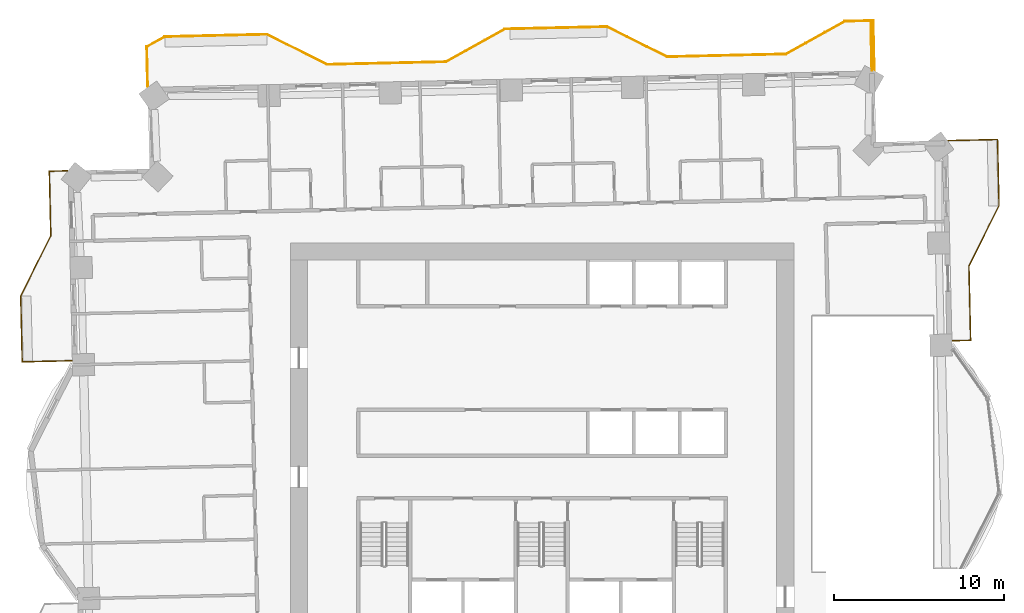
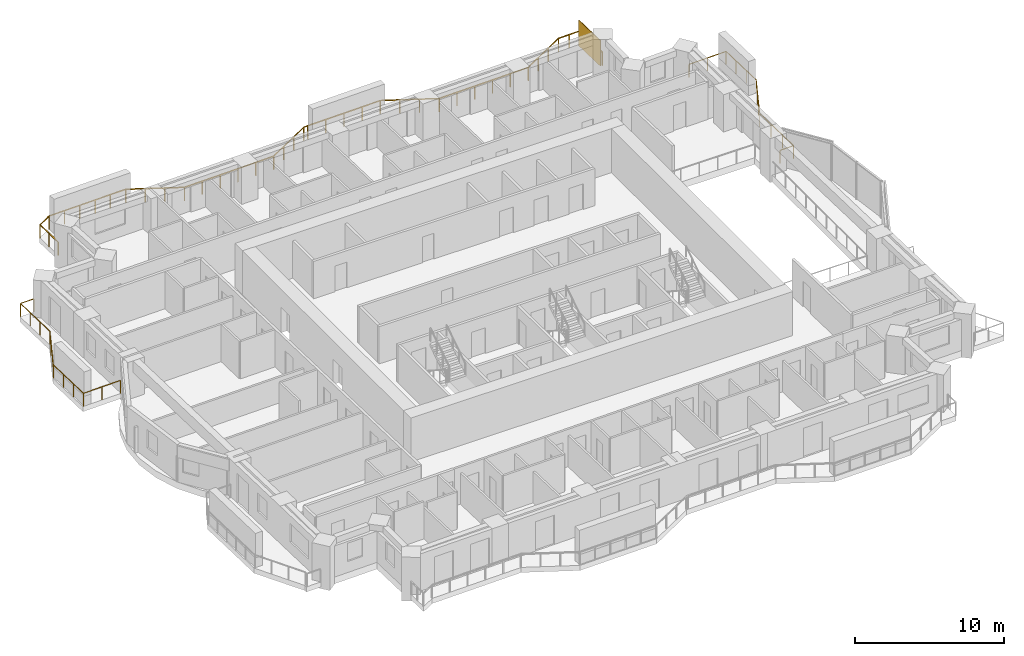
# One storey, part 16 of 16: 3 railings, 1 shading device.
"""IFC4 building model written with IfcOpenShell, lengths in metres."""

import ifcopenshell
import ifcopenshell.guid

model = None  # the IFC model being written
_history = None  # IfcOwnerHistory: only IFC2X3 demands one
_inside = {}  # id of a spatial element -> (the spatial element, [elements in it])
_under = {}  # id of a project, library or spatial element -> (it, [spatial elements below it])
_declared = {}  # id of a project -> (the project, [libraries it declares])
_typed = {}  # id of a type object -> (the type object, [elements of that type])
_made_of = {}  # id of a material, layer set ... -> (it, [elements and type objects made of it])


def new_model(schema):
    """Start an empty IFC model of exactly this schema.

    Asked for "IFC4X3", IfcOpenShell would pick the latest addendum, in which some entities
    have other attributes; the version numbers below select the first issue.
    IFC2X3 requires an IfcOwnerHistory on every rooted entity: one is made here for all.
    """
    global model, _history
    if schema == "IFC4X3":
        model = ifcopenshell.file(schema_version=(4, 3, 0, 0))
    else:
        model = ifcopenshell.file(schema=schema)
    _inside.clear()
    _under.clear()
    _declared.clear()
    _typed.clear()
    _made_of.clear()
    _history = None
    if model.schema == "IFC2X3":
        org = make("IfcOrganization", Name="unknown")
        user = make(
            "IfcPersonAndOrganization",
            ThePerson=make("IfcPerson", FamilyName="unknown"),
            TheOrganization=org,
        )
        app = make(
            "IfcApplication",
            ApplicationDeveloper=org,
            Version="unknown",
            ApplicationFullName="unknown",
            ApplicationIdentifier="unknown",
        )
        _history = make(
            "IfcOwnerHistory",
            OwningUser=user,
            OwningApplication=app,
            ChangeAction="ADDED",
            CreationDate=0,
        )
    return model


def make(cls, **values):
    """One entity of the class cls with the attributes given. An attribute that is None is left unset."""
    return model.create_entity(
        cls, **{name: value for name, value in values.items() if value is not None}
    )


def rooted(cls, **values):
    """An entity with a GlobalId (a new one), such as an element, a storey or a relation."""
    return make(cls, GlobalId=ifcopenshell.guid.new(), OwnerHistory=_history, **values)


def si_unit(unit_type, name, prefix=None):
    """IfcSIUnit, for example si_unit("LENGTHUNIT", "METRE", prefix="MILLI")."""
    return make("IfcSIUnit", UnitType=unit_type, Prefix=prefix, Name=name)


def assignment(units):
    """IfcUnitAssignment: the units of a project."""
    return None if units is None else make("IfcUnitAssignment", Units=units)


def point(xyz):
    """IfcCartesianPoint."""
    return None if xyz is None else make("IfcCartesianPoint", Coordinates=xyz)


def direction(xyz):
    """IfcDirection."""
    return None if xyz is None else make("IfcDirection", DirectionRatios=xyz)


def frame(location, z_axis=None, x_axis=None):
    """IfcAxis2Placement3D, a coordinate frame: its origin and axes. An axis left out is left unset."""
    return make(
        "IfcAxis2Placement3D",
        Location=point(location),
        Axis=direction(z_axis),
        RefDirection=direction(x_axis),
    )


def frame_2d(location, x_axis=None):
    """IfcAxis2Placement2D, a coordinate frame in the plane: its origin and x axis."""
    return make(
        "IfcAxis2Placement2D", Location=point(location), RefDirection=direction(x_axis)
    )


def origin():
    """The frame at (0, 0, 0) with its axes left unset."""
    return frame((0.0, 0.0, 0.0))


def origin_2d():
    """The frame at (0, 0) in the plane with its x axis left unset."""
    return frame_2d((0.0, 0.0))


def place(relative_to, where):
    """IfcLocalPlacement: puts the frame where relative to a parent placement (None: the world)."""
    return make(
        "IfcLocalPlacement", PlacementRelTo=relative_to, RelativePlacement=where
    )


def context(
    kind, dimensions, precision=None, world=None, true_north=None, identifier=None
):
    """IfcGeometricRepresentationContext, for example the 3D "Model" context."""
    return make(
        "IfcGeometricRepresentationContext",
        ContextIdentifier=identifier,
        ContextType=kind,
        CoordinateSpaceDimension=dimensions,
        Precision=precision,
        WorldCoordinateSystem=world,
        TrueNorth=true_north,
    )


def subcontext(parent, identifier, kind, view, scale=None):
    """IfcGeometricRepresentationSubContext, for example "Body" below "Model"."""
    return make(
        "IfcGeometricRepresentationSubContext",
        ContextIdentifier=identifier,
        ContextType=kind,
        ParentContext=parent,
        TargetScale=scale,
        TargetView=view,
    )


def project(units=None, contexts=None):
    """IfcProject with its units and contexts."""
    return rooted(
        "IfcProject",
        Name="project",
        RepresentationContexts=contexts,
        UnitsInContext=assignment(units),
    )


def spatial(cls, under=None, at=None, **own):
    """A site, building, storey or space (cls), placed at a placement, below another one or the project."""
    s = rooted(cls, ObjectPlacement=at, **own)
    if under is not None:
        _under.setdefault(under.id(), (under, []))[1].append(s)
    return s


def profile(cls, at=None, kind="AREA", **sizes):
    """A parametric profile (cls). Its sizes go by their IFC names, for example OverallWidth=200.0."""
    return make(cls, ProfileType=kind, Position=at, **sizes)


def rectangle(**sizes):
    """IfcRectangleProfileDef."""
    return profile("IfcRectangleProfileDef", **sizes)


def extrude(swept, where, along, depth):
    """IfcExtrudedAreaSolid: the profile swept, set in the frame where, extruded along a direction by depth."""
    return make(
        "IfcExtrudedAreaSolid",
        SweptArea=swept,
        Position=where,
        ExtrudedDirection=direction(along),
        Depth=depth,
    )


def shape(context_of_items, identifier, shape_type, items):
    """IfcShapeRepresentation: the items that make up one representation, for example the "Body"."""
    return make(
        "IfcShapeRepresentation",
        ContextOfItems=context_of_items,
        RepresentationIdentifier=identifier,
        RepresentationType=shape_type,
        Items=items,
    )


def material(Name=None, Category=None):
    """IfcMaterial."""
    return make("IfcMaterial", Name=Name, Category=Category)


def made_of(thing, what):
    """Note that an element or type object is made of a material, layer set ...; save() writes the relation."""
    if what is not None:
        _made_of.setdefault(what.id(), (what, []))[1].append(thing)
    return thing


def type_object(cls, material=None, **own):
    """A type object (cls), such as IfcWallType, which elements share."""
    return made_of(rooted(cls, **own), material)


def element(
    cls,
    number,
    at=None,
    inside=None,
    cuts=None,
    type_object=None,
    material=None,
    context=None,
    identifier="Body",
    shape_type=None,
    held_by="IfcProductDefinitionShape",
    body=None,
    shapes=None,
    **own,
):
    """One element of the class cls, such as IfcWall. Its Tag is "e" and its number.

    at: its placement. inside: the storey or other place that contains it. cuts: it is an
    opening in that element (IfcRelVoidsElement). A single representation is given by context,
    identifier, shape_type and body (its items); several are given by shapes. held_by: the class
    of the entity that holds the representations. save() writes the other relations.
    """
    e = rooted(cls, Tag="e%d" % number, ObjectPlacement=at, **own)
    if body is not None:
        shapes = [shape(context, identifier, shape_type, body)]
    if shapes is not None:
        e.Representation = make(held_by, Representations=shapes)
    if inside is not None:
        _inside.setdefault(inside.id(), (inside, []))[1].append(e)
    if cuts is not None:
        rooted(
            "IfcRelVoidsElement", RelatingBuildingElement=cuts, RelatedOpeningElement=e
        )
    if type_object is not None:
        _typed.setdefault(type_object.id(), (type_object, []))[1].append(e)
    return made_of(e, material)


def aggregate(whole, parts):
    """IfcRelAggregates: a whole, such as a stair, and the parts it consists of."""
    return rooted("IfcRelAggregates", RelatingObject=whole, RelatedObjects=parts)


def save(model, path):
    """Write the relations noted so far, then the file.

    IfcRelAggregates (storeys below a building ...), IfcRelContainedInSpatialStructure (elements
    in a storey), IfcRelDefinesByType, IfcRelAssociatesMaterial and IfcRelDeclares: one each for
    every whole, place, type object, material and project.
    """
    for whole, parts in _under.values():
        aggregate(whole, parts)
    for where, things in _inside.values():
        rooted(
            "IfcRelContainedInSpatialStructure",
            RelatedElements=things,
            RelatingStructure=where,
        )
    for kind, things in _typed.values():
        rooted("IfcRelDefinesByType", RelatedObjects=things, RelatingType=kind)
    for what, things in _made_of.values():
        rooted("IfcRelAssociatesMaterial", RelatedObjects=things, RelatingMaterial=what)
    for by, libraries in _declared.values():
        rooted("IfcRelDeclares", RelatingContext=by, RelatedDefinitions=libraries)
    model.write(path)


model = new_model("IFC4")

# Units and contexts
model_context = context("Model", 3, precision=1e-05, world=origin(), true_north=direction((0.0, 1.0)))
body_context = subcontext(model_context, "Body", "Model", "MODEL_VIEW")
ifc_project = project(units=[si_unit("LENGTHUNIT", "METRE"), si_unit("AREAUNIT", "SQUARE_METRE"), si_unit("VOLUMEUNIT", "CUBIC_METRE"), si_unit("PLANEANGLEUNIT", "RADIAN"), si_unit("MASSUNIT", "GRAM", prefix="KILO")], contexts=[model_context])

# Site, building, storey
site_placement = place(None, origin())
site = spatial("IfcSite", under=ifc_project, at=site_placement, CompositionType="ELEMENT")
building_placement = place(site_placement, origin())
building = spatial("IfcBuilding", under=site, at=building_placement, Name="Mangrove Gate Tower", CompositionType="ELEMENT")
storey_placement = place(building_placement, frame((0.0, 0.0, 137.300048828125)))
storey = spatial("IfcBuildingStorey", under=building, at=storey_placement, Name="L34", CompositionType="ELEMENT", Elevation=137.300048828125)

# Railings
ifc_material_1 = material(Name="Stainless steel grade 316 with laminated glass infill", Category="steel")
railing_type = type_object("IfcRailingType", Name="Balcony guard 1100", PredefinedType="GUARDRAIL", material=ifc_material_1)
railing_1_placement = place(storey_placement, frame((24.14404296875, 6.06103515625, 0.0)))
element("IfcRailing", 1, at=railing_1_placement, inside=storey, type_object=railing_type, Name="GUARD L34 E2", PredefinedType="GUARDRAIL", context=body_context, shape_type="SweptSolid", body=[
    extrude(rectangle(XDim=0.048095703125, YDim=0.048095703125, at=origin_2d()), frame((0.0, 0.0, 1.076171875), z_axis=(0.999744802133, 0.022590498181, 0.0), x_axis=(-0.022590498181, 0.999744802133, 0.0)), (0.0, 0.0, 1.0), 1.05908203125),
    extrude(rectangle(XDim=0.048095703125, YDim=0.048095703125, at=origin_2d()), frame((1.058837890625, 0.02392578125, 1.076171875), z_axis=(-0.022599718713, 0.999744593741, 0.0), x_axis=(-0.999744593741, -0.022599718713, 0.0)), (0.0, 0.0, 1.0), 4.375244140625),
    extrude(rectangle(XDim=0.048095703125, YDim=0.048095703125, at=origin_2d()), frame((0.9599609375, 4.39794921875, 1.076171875), z_axis=(0.447114919141, 0.894476522376, 0.0), x_axis=(-0.894476522376, 0.447114919141, 0.0)), (0.0, 0.0, 1.0), 3.958740234375),
    extrude(rectangle(XDim=0.048095703125, YDim=0.048095703125, at=origin_2d()), frame((2.72998046875, 7.93896484375, 1.076171875), z_axis=(-0.022599111039, 0.999744607477, 0.0), x_axis=(-0.999744607477, -0.022599111039, 0.0)), (0.0, 0.0, 1.0), 3.89990234375),
    extrude(rectangle(XDim=0.048095703125, YDim=0.048095703125, at=origin_2d()), frame((2.641845703125, 11.837890625, 1.076171875), z_axis=(-0.999743349437, -0.022654696127, 0.0), x_axis=(0.022654696127, -0.999743349437, 0.0)), (0.0, 0.0, 1.0), 2.90966796875),
    extrude(rectangle(XDim=0.0419921875, YDim=0.0419921875, at=origin_2d()), origin(), (0.0, 0.0, 1.0), 1.052001953125),
    extrude(rectangle(XDim=0.0419921875, YDim=0.0419921875, at=origin_2d()), frame((1.058837890625, 0.02392578125, 0.0)), (0.0, 0.0, 1.0), 1.052001953125),
    extrude(rectangle(XDim=0.0419921875, YDim=0.0419921875, at=origin_2d()), frame((1.02587890625, 1.48193359375, 0.0)), (0.0, 0.0, 1.0), 1.052001953125),
    extrude(rectangle(XDim=0.0419921875, YDim=0.0419921875, at=origin_2d()), frame((0.992919921875, 2.93994140625, 0.0)), (0.0, 0.0, 1.0), 1.052001953125),
    extrude(rectangle(XDim=0.0419921875, YDim=0.0419921875, at=origin_2d()), frame((0.9599609375, 4.39794921875, 0.0)), (0.0, 0.0, 1.0), 1.052001953125),
    extrude(rectangle(XDim=0.0419921875, YDim=0.0419921875, at=origin_2d()), frame((1.550048828125, 5.578369140625, 0.0)), (0.0, 0.0, 1.0), 1.052001953125),
    extrude(rectangle(XDim=0.0419921875, YDim=0.0419921875, at=origin_2d()), frame((2.139892578125, 6.758544921875, 0.0)), (0.0, 0.0, 1.0), 1.052001953125),
    extrude(rectangle(XDim=0.0419921875, YDim=0.0419921875, at=origin_2d()), frame((2.72998046875, 7.93896484375, 0.0)), (0.0, 0.0, 1.0), 1.052001953125),
    extrude(rectangle(XDim=0.0419921875, YDim=0.0419921875, at=origin_2d()), frame((2.70068359375, 9.238525390625, 0.0)), (0.0, 0.0, 1.0), 1.052001953125),
    extrude(rectangle(XDim=0.0419921875, YDim=0.0419921875, at=origin_2d()), frame((2.671142578125, 10.538330078125, 0.0)), (0.0, 0.0, 1.0), 1.052001953125),
    extrude(rectangle(XDim=0.0419921875, YDim=0.0419921875, at=origin_2d()), frame((2.641845703125, 11.837890625, 0.0)), (0.0, 0.0, 1.0), 1.052001953125),
    extrude(rectangle(XDim=0.0419921875, YDim=0.0419921875, at=origin_2d()), frame((1.1875, 11.804931640625, 0.0)), (0.0, 0.0, 1.0), 1.052001953125),
    extrude(rectangle(XDim=0.0419921875, YDim=0.0419921875, at=origin_2d()), frame((-0.26708984375, 11.77197265625, 0.0)), (0.0, 0.0, 1.0), 1.052001953125),
])
railing_2_placement = place(storey_placement, frame((19.541015625, 21.97607421875, 0.0)))
element("IfcRailing", 2, at=railing_2_placement, inside=storey, type_object=railing_type, Name="GUARD L34 N1", PredefinedType="GUARDRAIL", context=body_context, shape_type="SweptSolid", body=[
    extrude(rectangle(XDim=0.048095703125, YDim=0.048095703125, at=origin_2d()), frame((0.0, 0.0, 1.076171875), z_axis=(-0.022319239446, 0.999750894749, 0.0), x_axis=(-0.999750894749, -0.022319239446, 0.0)), (0.0, 0.0, 1.0), 2.90966796875),
    extrude(rectangle(XDim=0.048095703125, YDim=0.048095703125, at=origin_2d()), frame((-0.06494140625, 2.908935546875, 1.076171875), z_axis=(-0.999740703935, -0.022771141745, 0.0), x_axis=(0.022771141745, -0.999740703935, 0.0)), (0.0, 0.0, 1.0), 1.672607421875),
    extrude(rectangle(XDim=0.048095703125, YDim=0.048095703125, at=origin_2d()), frame((-1.737060546875, 2.870849609375, 1.076171875), z_axis=(-0.87325689943, -0.48726008209, 0.0), x_axis=(0.48726008209, -0.87325689943, 0.0)), (0.0, 0.0, 1.0), 3.958740234375),
    extrude(rectangle(XDim=0.048095703125, YDim=0.048095703125, at=origin_2d()), frame((-5.194091796875, 0.94189453125, 1.076171875), z_axis=(-0.999742177561, -0.022706351659, 0.0), x_axis=(0.022706351659, -0.999742177561, 0.0)), (0.0, 0.0, 1.0), 6.99951171875),
    extrude(rectangle(XDim=0.048095703125, YDim=0.048095703125, at=origin_2d()), frame((-12.19189453125, 0.782958984375, 1.076171875), z_axis=(-0.894476522376, 0.447114919141, 0.0), x_axis=(-0.447114919141, -0.894476522376, 0.0)), (0.0, 0.0, 1.0), 3.958740234375),
    extrude(rectangle(XDim=0.048095703125, YDim=0.048095703125, at=origin_2d()), frame((-15.73291015625, 2.552978515625, 1.076171875), z_axis=(-0.999743336819, -0.022655252963, 0.0), x_axis=(0.022655252963, -0.999743336819, 0.0)), (0.0, 0.0, 1.0), 5.70068359375),
    extrude(rectangle(XDim=0.048095703125, YDim=0.048095703125, at=origin_2d()), frame((-21.43212890625, 2.423828125, 1.076171875), z_axis=(-0.999740151609, -0.02279537805, 0.0), x_axis=(0.02279537805, -0.999740151609, 0.0)), (0.0, 0.0, 1.0), 0.2998046875),
    extrude(rectangle(XDim=0.048095703125, YDim=0.048095703125, at=origin_2d()), frame((-21.73193359375, 2.4169921875, 1.076171875), z_axis=(-0.87325689943, -0.48726008209, 0.0), x_axis=(0.48726008209, -0.87325689943, 0.0)), (0.0, 0.0, 1.0), 3.958740234375),
    extrude(rectangle(XDim=0.048095703125, YDim=0.048095703125, at=origin_2d()), frame((-25.18896484375, 0.488037109375, 1.076171875), z_axis=(-0.999744565238, -0.022600979566, 0.0), x_axis=(0.022600979566, -0.999744565238, 0.0)), (0.0, 0.0, 1.0), 6.999755859375),
    extrude(rectangle(XDim=0.048095703125, YDim=0.048095703125, at=origin_2d()), frame((-32.18701171875, 0.329833984375, 1.076171875), z_axis=(-0.894476522376, 0.447114919141, 0.0), x_axis=(-0.447114919141, -0.894476522376, 0.0)), (0.0, 0.0, 1.0), 3.958740234375),
    extrude(rectangle(XDim=0.048095703125, YDim=0.048095703125, at=origin_2d()), frame((-35.72802734375, 2.099853515625, 1.076171875), z_axis=(-0.999743178102, -0.022662255828, 0.0), x_axis=(0.022662255828, -0.999743178102, 0.0)), (0.0, 0.0, 1.0), 6.00048828125),
    extrude(rectangle(XDim=0.048095703125, YDim=0.048095703125, at=origin_2d()), frame((-41.72705078125, 1.9638671875, 1.076171875), z_axis=(-0.873301286493, -0.487180524046, 0.0), x_axis=(0.487180524046, -0.873301286493, 0.0)), (0.0, 0.0, 1.0), 1.212646484375),
    extrude(rectangle(XDim=0.048095703125, YDim=0.048095703125, at=origin_2d()), frame((-42.7861328125, 1.373046875, 1.076171875), z_axis=(0.022709573695, -0.999742104376, 0.0), x_axis=(0.999742104376, 0.022709573695, 0.0)), (0.0, 0.0, 1.0), 2.343505859375),
    extrude(rectangle(XDim=0.0419921875, YDim=0.0419921875, at=origin_2d()), origin(), (0.0, 0.0, 1.0), 1.052001953125),
    extrude(rectangle(XDim=0.0419921875, YDim=0.0419921875, at=origin_2d()), frame((-0.032470703125, 1.45458984375, 0.0)), (0.0, 0.0, 1.0), 1.052001953125),
    extrude(rectangle(XDim=0.0419921875, YDim=0.0419921875, at=origin_2d()), frame((-0.06494140625, 2.908935546875, 0.0)), (0.0, 0.0, 1.0), 1.052001953125),
    extrude(rectangle(XDim=0.0419921875, YDim=0.0419921875, at=origin_2d()), frame((-0.90087890625, 2.889892578125, 0.0)), (0.0, 0.0, 1.0), 1.052001953125),
    extrude(rectangle(XDim=0.0419921875, YDim=0.0419921875, at=origin_2d()), frame((-1.737060546875, 2.870849609375, 0.0)), (0.0, 0.0, 1.0), 1.052001953125),
    extrude(rectangle(XDim=0.0419921875, YDim=0.0419921875, at=origin_2d()), frame((-2.889404296875, 2.227783203125, 0.0)), (0.0, 0.0, 1.0), 1.052001953125),
    extrude(rectangle(XDim=0.0419921875, YDim=0.0419921875, at=origin_2d()), frame((-4.041748046875, 1.5849609375, 0.0)), (0.0, 0.0, 1.0), 1.052001953125),
    extrude(rectangle(XDim=0.0419921875, YDim=0.0419921875, at=origin_2d()), frame((-5.194091796875, 0.94189453125, 0.0)), (0.0, 0.0, 1.0), 1.052001953125),
    extrude(rectangle(XDim=0.0419921875, YDim=0.0419921875, at=origin_2d()), frame((-6.59375, 0.91015625, 0.0)), (0.0, 0.0, 1.0), 1.052001953125),
    extrude(rectangle(XDim=0.0419921875, YDim=0.0419921875, at=origin_2d()), frame((-7.9931640625, 0.87841796875, 0.0)), (0.0, 0.0, 1.0), 1.052001953125),
    extrude(rectangle(XDim=0.0419921875, YDim=0.0419921875, at=origin_2d()), frame((-9.392822265625, 0.846435546875, 0.0)), (0.0, 0.0, 1.0), 1.052001953125),
    extrude(rectangle(XDim=0.0419921875, YDim=0.0419921875, at=origin_2d()), frame((-10.792236328125, 0.814697265625, 0.0)), (0.0, 0.0, 1.0), 1.052001953125),
    extrude(rectangle(XDim=0.0419921875, YDim=0.0419921875, at=origin_2d()), frame((-12.19189453125, 0.782958984375, 0.0)), (0.0, 0.0, 1.0), 1.052001953125),
    extrude(rectangle(XDim=0.0419921875, YDim=0.0419921875, at=origin_2d()), frame((-13.372314453125, 1.373046875, 0.0)), (0.0, 0.0, 1.0), 1.052001953125),
    extrude(rectangle(XDim=0.0419921875, YDim=0.0419921875, at=origin_2d()), frame((-14.552490234375, 1.962890625, 0.0)), (0.0, 0.0, 1.0), 1.052001953125),
    extrude(rectangle(XDim=0.0419921875, YDim=0.0419921875, at=origin_2d()), frame((-15.73291015625, 2.552978515625, 0.0)), (0.0, 0.0, 1.0), 1.052001953125),
    extrude(rectangle(XDim=0.0419921875, YDim=0.0419921875, at=origin_2d()), frame((-17.15771484375, 2.520751953125, 0.0)), (0.0, 0.0, 1.0), 1.052001953125),
    extrude(rectangle(XDim=0.0419921875, YDim=0.0419921875, at=origin_2d()), frame((-18.58251953125, 2.48828125, 0.0)), (0.0, 0.0, 1.0), 1.052001953125),
    extrude(rectangle(XDim=0.0419921875, YDim=0.0419921875, at=origin_2d()), frame((-20.00732421875, 2.4560546875, 0.0)), (0.0, 0.0, 1.0), 1.052001953125),
    extrude(rectangle(XDim=0.0419921875, YDim=0.0419921875, at=origin_2d()), frame((-21.43212890625, 2.423828125, 0.0)), (0.0, 0.0, 1.0), 1.052001953125),
    extrude(rectangle(XDim=0.0419921875, YDim=0.0419921875, at=origin_2d()), frame((-21.73193359375, 2.4169921875, 0.0)), (0.0, 0.0, 1.0), 1.052001953125),
    extrude(rectangle(XDim=0.0419921875, YDim=0.0419921875, at=origin_2d()), frame((-22.88427734375, 1.77392578125, 0.0)), (0.0, 0.0, 1.0), 1.052001953125),
    extrude(rectangle(XDim=0.0419921875, YDim=0.0419921875, at=origin_2d()), frame((-24.03662109375, 1.131103515625, 0.0)), (0.0, 0.0, 1.0), 1.052001953125),
    extrude(rectangle(XDim=0.0419921875, YDim=0.0419921875, at=origin_2d()), frame((-25.18896484375, 0.488037109375, 0.0)), (0.0, 0.0, 1.0), 1.052001953125),
    extrude(rectangle(XDim=0.0419921875, YDim=0.0419921875, at=origin_2d()), frame((-26.588623046875, 0.456298828125, 0.0)), (0.0, 0.0, 1.0), 1.052001953125),
    extrude(rectangle(XDim=0.0419921875, YDim=0.0419921875, at=origin_2d()), frame((-27.98828125, 0.4248046875, 0.0)), (0.0, 0.0, 1.0), 1.052001953125),
    extrude(rectangle(XDim=0.0419921875, YDim=0.0419921875, at=origin_2d()), frame((-29.3876953125, 0.39306640625, 0.0)), (0.0, 0.0, 1.0), 1.052001953125),
    extrude(rectangle(XDim=0.0419921875, YDim=0.0419921875, at=origin_2d()), frame((-30.787353515625, 0.361572265625, 0.0)), (0.0, 0.0, 1.0), 1.052001953125),
    extrude(rectangle(XDim=0.0419921875, YDim=0.0419921875, at=origin_2d()), frame((-32.18701171875, 0.329833984375, 0.0)), (0.0, 0.0, 1.0), 1.052001953125),
    extrude(rectangle(XDim=0.0419921875, YDim=0.0419921875, at=origin_2d()), frame((-33.367431640625, 0.919921875, 0.0)), (0.0, 0.0, 1.0), 1.052001953125),
    extrude(rectangle(XDim=0.0419921875, YDim=0.0419921875, at=origin_2d()), frame((-34.547607421875, 1.509765625, 0.0)), (0.0, 0.0, 1.0), 1.052001953125),
    extrude(rectangle(XDim=0.0419921875, YDim=0.0419921875, at=origin_2d()), frame((-35.72802734375, 2.099853515625, 0.0)), (0.0, 0.0, 1.0), 1.052001953125),
    extrude(rectangle(XDim=0.0419921875, YDim=0.0419921875, at=origin_2d()), frame((-36.927734375, 2.07275390625, 0.0)), (0.0, 0.0, 1.0), 1.052001953125),
    extrude(rectangle(XDim=0.0419921875, YDim=0.0419921875, at=origin_2d()), frame((-38.127685546875, 2.04541015625, 0.0)), (0.0, 0.0, 1.0), 1.052001953125),
    extrude(rectangle(XDim=0.0419921875, YDim=0.0419921875, at=origin_2d()), frame((-39.327392578125, 2.018310546875, 0.0)), (0.0, 0.0, 1.0), 1.052001953125),
    extrude(rectangle(XDim=0.0419921875, YDim=0.0419921875, at=origin_2d()), frame((-40.52734375, 1.990966796875, 0.0)), (0.0, 0.0, 1.0), 1.052001953125),
    extrude(rectangle(XDim=0.0419921875, YDim=0.0419921875, at=origin_2d()), frame((-41.72705078125, 1.9638671875, 0.0)), (0.0, 0.0, 1.0), 1.052001953125),
    extrude(rectangle(XDim=0.0419921875, YDim=0.0419921875, at=origin_2d()), frame((-42.7861328125, 1.373046875, 0.0)), (0.0, 0.0, 1.0), 1.052001953125),
    extrude(rectangle(XDim=0.0419921875, YDim=0.0419921875, at=origin_2d()), frame((-42.759521484375, 0.20166015625, 0.0)), (0.0, 0.0, 1.0), 1.052001953125),
    extrude(rectangle(XDim=0.0419921875, YDim=0.0419921875, at=origin_2d()), frame((-42.73291015625, -0.969970703125, 0.0)), (0.0, 0.0, 1.0), 1.052001953125),
])
railing_3_placement = place(storey_placement, frame((-27.9208984375, 16.056884765625, 0.0)))
element("IfcRailing", 3, at=railing_3_placement, inside=storey, type_object=railing_type, Name="GUARD L34 W1", PredefinedType="GUARDRAIL", context=body_context, shape_type="SweptSolid", body=[
    extrude(rectangle(XDim=0.048095703125, YDim=0.048095703125, at=origin_2d()), frame((0.0, 0.0, 1.076171875), z_axis=(-0.999744919731, -0.022585293253, 0.0), x_axis=(0.022585293253, -0.999744919731, 0.0)), (0.0, 0.0, 1.0), 1.059326171875),
    extrude(rectangle(XDim=0.048095703125, YDim=0.048095703125, at=origin_2d()), frame((-1.05908203125, -0.02392578125, 1.076171875), z_axis=(0.022614868993, -0.999744251146, 0.0), x_axis=(0.999744251146, 0.022614868993, 0.0)), (0.0, 0.0, 1.0), 3.800048828125),
    extrude(rectangle(XDim=0.048095703125, YDim=0.048095703125, at=origin_2d()), frame((-0.97314453125, -3.822998046875, 1.076171875), z_axis=(-0.447139584658, -0.894464192593, 0.0), x_axis=(0.894464192593, -0.447139584658, 0.0)), (0.0, 0.0, 1.0), 3.95849609375),
    extrude(rectangle(XDim=0.048095703125, YDim=0.048095703125, at=origin_2d()), frame((-2.7431640625, -7.36376953125, 1.076171875), z_axis=(0.022750035778, -0.999741184443, 0.0), x_axis=(0.999741184443, 0.022750035778, 0.0)), (0.0, 0.0, 1.0), 3.8740234375),
    extrude(rectangle(XDim=0.048095703125, YDim=0.048095703125, at=origin_2d()), frame((-2.655029296875, -11.23681640625, 1.076171875), z_axis=(0.999743349437, 0.022654696127, 0.0), x_axis=(-0.022654696127, 0.999743349437, 0.0)), (0.0, 0.0, 1.0), 2.90966796875),
    extrude(rectangle(XDim=0.0419921875, YDim=0.0419921875, at=origin_2d()), origin(), (0.0, 0.0, 1.0), 1.052001953125),
    extrude(rectangle(XDim=0.0419921875, YDim=0.0419921875, at=origin_2d()), frame((-1.05908203125, -0.02392578125, 0.0)), (0.0, 0.0, 1.0), 1.052001953125),
    extrude(rectangle(XDim=0.0419921875, YDim=0.0419921875, at=origin_2d()), frame((-1.030517578125, -1.290283203125, 0.0)), (0.0, 0.0, 1.0), 1.052001953125),
    extrude(rectangle(XDim=0.0419921875, YDim=0.0419921875, at=origin_2d()), frame((-1.001708984375, -2.556640625, 0.0)), (0.0, 0.0, 1.0), 1.052001953125),
    extrude(rectangle(XDim=0.0419921875, YDim=0.0419921875, at=origin_2d()), frame((-0.97314453125, -3.822998046875, 0.0)), (0.0, 0.0, 1.0), 1.052001953125),
    extrude(rectangle(XDim=0.0419921875, YDim=0.0419921875, at=origin_2d()), frame((-1.563232421875, -5.003173828125, 0.0)), (0.0, 0.0, 1.0), 1.052001953125),
    extrude(rectangle(XDim=0.0419921875, YDim=0.0419921875, at=origin_2d()), frame((-2.153076171875, -6.18359375, 0.0)), (0.0, 0.0, 1.0), 1.052001953125),
    extrude(rectangle(XDim=0.0419921875, YDim=0.0419921875, at=origin_2d()), frame((-2.7431640625, -7.36376953125, 0.0)), (0.0, 0.0, 1.0), 1.052001953125),
    extrude(rectangle(XDim=0.0419921875, YDim=0.0419921875, at=origin_2d()), frame((-2.7138671875, -8.65478515625, 0.0)), (0.0, 0.0, 1.0), 1.052001953125),
    extrude(rectangle(XDim=0.0419921875, YDim=0.0419921875, at=origin_2d()), frame((-2.684326171875, -9.94580078125, 0.0)), (0.0, 0.0, 1.0), 1.052001953125),
    extrude(rectangle(XDim=0.0419921875, YDim=0.0419921875, at=origin_2d()), frame((-2.655029296875, -11.23681640625, 0.0)), (0.0, 0.0, 1.0), 1.052001953125),
    extrude(rectangle(XDim=0.0419921875, YDim=0.0419921875, at=origin_2d()), frame((-1.20068359375, -11.203857421875, 0.0)), (0.0, 0.0, 1.0), 1.052001953125),
    extrude(rectangle(XDim=0.0419921875, YDim=0.0419921875, at=origin_2d()), frame((0.25390625, -11.1708984375, 0.0)), (0.0, 0.0, 1.0), 1.052001953125),
])

# Shading device
ifc_material_2 = material(Name="Timber slat screen in teak", Category="wood")
shading_device_type = type_object("IfcShadingDeviceType", Name="Balcony screen 2100", PredefinedType="USERDEFINED", material=ifc_material_2)
shading_device_placement = place(storey_placement, frame((19.3701171875, 23.346923828125, 0.0), z_axis=(0.0, 0.0, 1.0), x_axis=(-0.022408151889, 0.99974890584, 0.0)))
element("IfcShadingDevice", 4, at=shading_device_placement, inside=storey, type_object=shading_device_type, Name="SCREEN L34 N0", ObjectType="SCREEN", PredefinedType="USERDEFINED", context=body_context, shape_type="SweptSolid", body=[
    extrude(rectangle(XDim=2.7900390625, YDim=0.050048828125, at=origin_2d()), origin(), (0.0, 0.0, 1.0), 2.10009765625),
])

save(model, "model.ifc")
